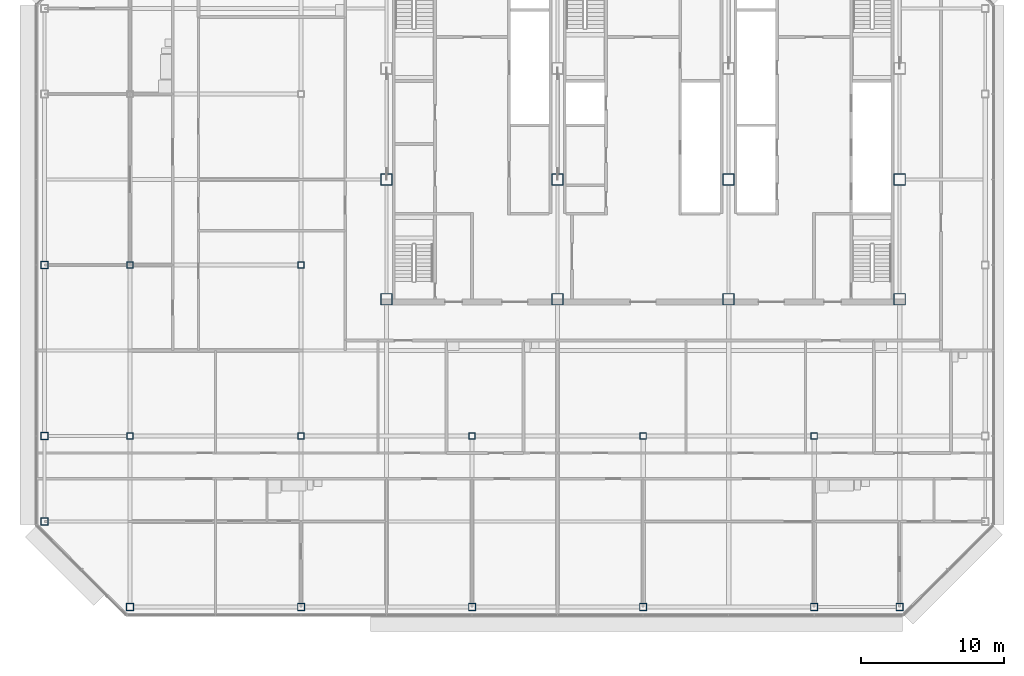
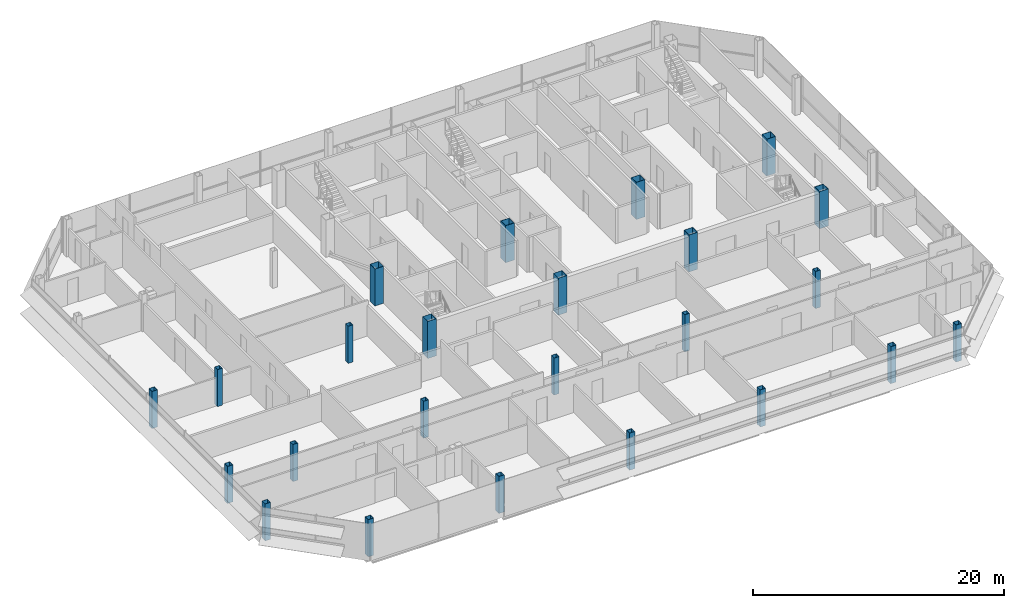
# One storey, part 1 of 27: 24 columns.
"""IFC4 building model written with IfcOpenShell, lengths in metres."""

from ifc_helpers import new_model, si_unit, direction, frame, origin, origin_2d, place, context, subcontext, project, spatial, hollow_rectangle, extrude, material, material_profile, profile_set, type_object, element, save


model = new_model("IFC4")

# Units and contexts
model_context = context("Model", 3, precision=1e-05, world=origin(), true_north=direction((0.0, 1.0)))
body_context = subcontext(model_context, "Body", "Model", "MODEL_VIEW")
ifc_project = project(units=[si_unit("LENGTHUNIT", "METRE"), si_unit("AREAUNIT", "SQUARE_METRE"), si_unit("VOLUMEUNIT", "CUBIC_METRE"), si_unit("PLANEANGLEUNIT", "RADIAN"), si_unit("MASSUNIT", "GRAM", prefix="KILO")], contexts=[model_context])

# Site, building, storey
site_placement = place(None, origin())
site = spatial("IfcSite", under=ifc_project, at=site_placement, CompositionType="ELEMENT")
building_placement = place(site_placement, origin())
building = spatial("IfcBuilding", under=site, at=building_placement, Name="Sorahane Residences", CompositionType="ELEMENT")
storey_placement = place(building_placement, frame((0.0, 0.0, 316.0)))
storey = spatial("IfcBuildingStorey", under=building, at=storey_placement, Name="L75", CompositionType="ELEMENT", Elevation=316.0)

# Columns
ifc_material_1 = material(Name="Steel Q355B", Category="steel")
ifc_material_profile_1 = material_profile(ifc_material_1, hollow_rectangle(XDim=0.449951171875, YDim=0.449951171875, WallThickness=0.02197265625, at=origin_2d()), Name="BOX 450x450x22")
ifc_profile_set_1 = profile_set([ifc_material_profile_1], Name="Steel Q355B")
column_type_1 = type_object("IfcColumnType", Name="Steel box column BOX 450x450x22 Q355B", PredefinedType="COLUMN", material=ifc_profile_set_1)
for number, where, z_axis, x_axis, name in (
    (1, (-12.0, 12.0, 0.0), (0.0, 0.0, 1.0), (1.0, 0.0, 0.0), "Column L75 m12/12"),
    (2, (-12.0, 24.0, 0.0), (0.0, 0.0, 1.0), (1.0, 0.0, 0.0), "Column L75 m12/24"),
    (3, (0.0, 12.0, 0.0), (0.0, 0.0, 1.0), (1.0, 0.0, 0.0), "Column L75 0/12"),
    (4, (0.0, 24.0, 0.0), (0.0, 0.0, 1.0), (1.0, 0.0, 0.0), "Column L75 0/24"),
    (5, (12.0, 12.0, 0.0), (0.0, 0.0, 1.0), (1.0, 0.0, 0.0), "Column L75 12/12"),
    (6, (24.0, 12.0, 0.0), (0.0, 0.0, 1.0), (1.0, 0.0, 0.0), "Column L75 24/12"),
    (7, (36.0, 12.0, 0.0), (0.0, 0.0, 1.0), (1.0, 0.0, 0.0), "Column L75 36/12"),
):
    element("IfcColumn", number, at=place(storey_placement, frame(where, z_axis=z_axis, x_axis=x_axis)), inside=storey, type_object=column_type_1, Name=name, PredefinedType="COLUMN", context=body_context, shape_type="SweptSolid", body=[
        extrude(hollow_rectangle(XDim=0.449951171875, YDim=0.449951171875, WallThickness=0.02197265625, at=origin_2d()), origin(), (0.0, 0.0, 1.0), 3.60009765625),
    ])
ifc_material_2 = material(Name="Steel Q355B", Category="steel")
ifc_material_profile_2 = material_profile(ifc_material_2, hollow_rectangle(XDim=0.5, YDim=0.5, WallThickness=0.02490234375, at=origin_2d()), Name="BOX 500x500x25")
ifc_profile_set_2 = profile_set([ifc_material_profile_2], Name="Steel Q355B")
column_type_2 = type_object("IfcColumnType", Name="Steel box column BOX 500x500x25 Q355B", PredefinedType="COLUMN", material=ifc_profile_set_2)
for number, where, z_axis, x_axis, name in (
    (8, (-18.0, 6.0, 0.0), (0.0, 0.0, 1.0), (1.0, 0.0, 0.0), "Column L75 m18/6"),
    (9, (-18.0, 12.0, 0.0), (0.0, 0.0, 1.0), (1.0, 0.0, 0.0), "Column L75 m18/12"),
    (10, (-18.0, 24.0, 0.0), (0.0, 0.0, 1.0), (1.0, 0.0, 0.0), "Column L75 m18/24"),
    (11, (-12.0, 0.0, 0.0), (0.0, 0.0, 1.0), (1.0, 0.0, 0.0), "Column L75 m12/0"),
    (12, (0.0, 0.0, 0.0), (0.0, 0.0, 1.0), (1.0, 0.0, 0.0), "Column L75 0/0"),
    (13, (12.0, 0.0, 0.0), (0.0, 0.0, 1.0), (1.0, 0.0, 0.0), "Column L75 12/0"),
    (14, (24.0, 0.0, 0.0), (0.0, 0.0, 1.0), (1.0, 0.0, 0.0), "Column L75 24/0"),
    (15, (36.0, 0.0, 0.0), (0.0, 0.0, 1.0), (1.0, 0.0, 0.0), "Column L75 36/0"),
    (16, (42.0, 0.0, 0.0), (0.0, 0.0, 1.0), (1.0, 0.0, 0.0), "Column L75 42/0"),
):
    element("IfcColumn", number, at=place(storey_placement, frame(where, z_axis=z_axis, x_axis=x_axis)), inside=storey, type_object=column_type_2, Name=name, PredefinedType="COLUMN", context=body_context, shape_type="SweptSolid", body=[
        extrude(hollow_rectangle(XDim=0.5, YDim=0.5, WallThickness=0.02490234375, at=origin_2d()), origin(), (0.0, 0.0, 1.0), 3.60009765625),
    ])
ifc_material_3 = material(Name="Steel Q355B", Category="steel")
ifc_material_profile_3 = material_profile(ifc_material_3, hollow_rectangle(XDim=0.800048828125, YDim=0.800048828125, WallThickness=0.02490234375, at=origin_2d()), Name="BOX 800x800x25")
ifc_profile_set_3 = profile_set([ifc_material_profile_3], Name="Steel Q355B")
column_type_3 = type_object("IfcColumnType", Name="Steel box column BOX 800x800x25 Q355B", PredefinedType="COLUMN", material=ifc_profile_set_3)
for number, where, z_axis, x_axis, name in (
    (17, (6.0, 21.60009765625, 0.0), (0.0, 0.0, 1.0), (1.0, 0.0, 0.0), "Column L75 6/21.6"),
    (18, (6.0, 30.0, 0.0), (0.0, 0.0, 1.0), (1.0, 0.0, 0.0), "Column L75 6/30"),
    (19, (18.0, 21.60009765625, 0.0), (0.0, 0.0, 1.0), (1.0, 0.0, 0.0), "Column L75 18/21.6"),
    (20, (18.0, 30.0, 0.0), (0.0, 0.0, 1.0), (1.0, 0.0, 0.0), "Column L75 18/30"),
    (21, (30.0, 21.60009765625, 0.0), (0.0, 0.0, 1.0), (1.0, 0.0, 0.0), "Column L75 30/21.6"),
    (22, (30.0, 30.0, 0.0), (0.0, 0.0, 1.0), (1.0, 0.0, 0.0), "Column L75 30/30"),
    (23, (42.0, 21.60009765625, 0.0), (0.0, 0.0, 1.0), (1.0, 0.0, 0.0), "Column L75 42/21.6"),
    (24, (42.0, 30.0, 0.0), (0.0, 0.0, 1.0), (1.0, 0.0, 0.0), "Column L75 42/30"),
):
    element("IfcColumn", number, at=place(storey_placement, frame(where, z_axis=z_axis, x_axis=x_axis)), inside=storey, type_object=column_type_3, Name=name, PredefinedType="COLUMN", context=body_context, shape_type="SweptSolid", body=[
        extrude(hollow_rectangle(XDim=0.800048828125, YDim=0.800048828125, WallThickness=0.02490234375, at=origin_2d()), origin(), (0.0, 0.0, 1.0), 3.60009765625),
    ])

save(model, "model.ifc")
